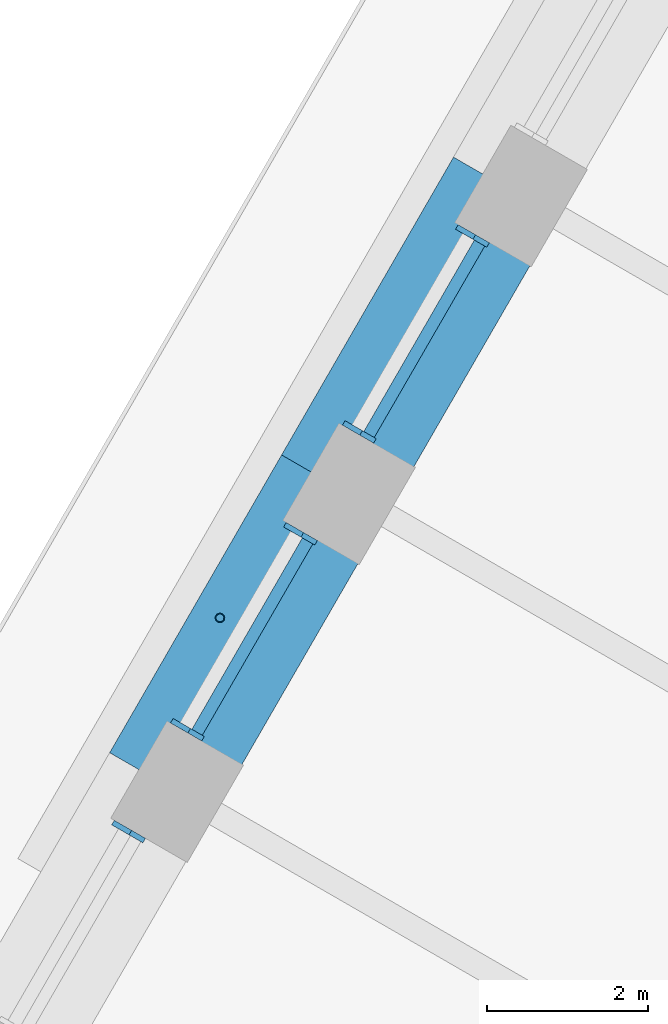
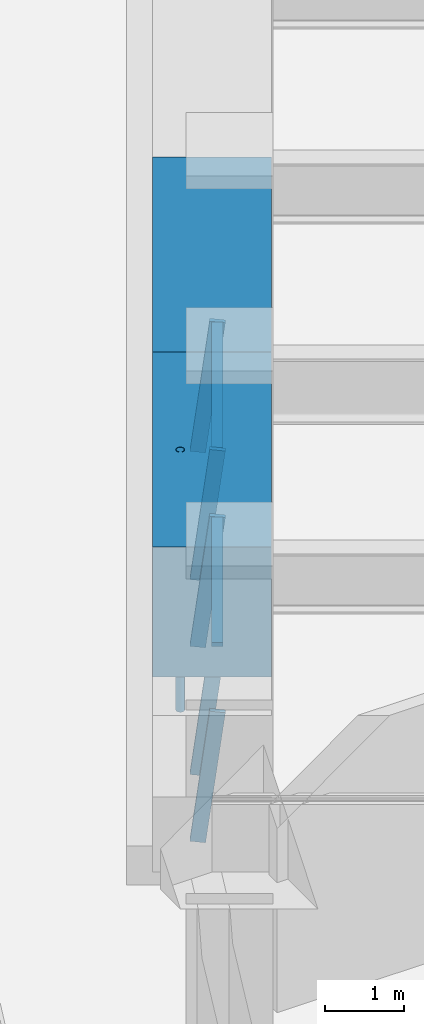
# One storey, part 6 of 18: 8 members, 2 beams, 3 elements without a shape of their own.
"""IFC4 building model written with IfcOpenShell, lengths in metres."""

import ifcopenshell
import ifcopenshell.guid

model = None  # the IFC model being written
_history = None  # IfcOwnerHistory: only IFC2X3 demands one
_inside = {}  # id of a spatial element -> (the spatial element, [elements in it])
_under = {}  # id of a project, library or spatial element -> (it, [spatial elements below it])
_declared = {}  # id of a project -> (the project, [libraries it declares])
_typed = {}  # id of a type object -> (the type object, [elements of that type])
_made_of = {}  # id of a material, layer set ... -> (it, [elements and type objects made of it])


def new_model(schema):
    """Start an empty IFC model of exactly this schema.

    Asked for "IFC4X3", IfcOpenShell would pick the latest addendum, in which some entities
    have other attributes; the version numbers below select the first issue.
    IFC2X3 requires an IfcOwnerHistory on every rooted entity: one is made here for all.
    """
    global model, _history
    if schema == "IFC4X3":
        model = ifcopenshell.file(schema_version=(4, 3, 0, 0))
    else:
        model = ifcopenshell.file(schema=schema)
    _inside.clear()
    _under.clear()
    _declared.clear()
    _typed.clear()
    _made_of.clear()
    _history = None
    if model.schema == "IFC2X3":
        org = make("IfcOrganization", Name="unknown")
        user = make(
            "IfcPersonAndOrganization",
            ThePerson=make("IfcPerson", FamilyName="unknown"),
            TheOrganization=org,
        )
        app = make(
            "IfcApplication",
            ApplicationDeveloper=org,
            Version="unknown",
            ApplicationFullName="unknown",
            ApplicationIdentifier="unknown",
        )
        _history = make(
            "IfcOwnerHistory",
            OwningUser=user,
            OwningApplication=app,
            ChangeAction="ADDED",
            CreationDate=0,
        )
    return model


def make(cls, **values):
    """One entity of the class cls with the attributes given. An attribute that is None is left unset."""
    return model.create_entity(
        cls, **{name: value for name, value in values.items() if value is not None}
    )


def rooted(cls, **values):
    """An entity with a GlobalId (a new one), such as an element, a storey or a relation."""
    return make(cls, GlobalId=ifcopenshell.guid.new(), OwnerHistory=_history, **values)


def si_unit(unit_type, name, prefix=None):
    """IfcSIUnit, for example si_unit("LENGTHUNIT", "METRE", prefix="MILLI")."""
    return make("IfcSIUnit", UnitType=unit_type, Prefix=prefix, Name=name)


def assignment(units):
    """IfcUnitAssignment: the units of a project."""
    return None if units is None else make("IfcUnitAssignment", Units=units)


def point(xyz):
    """IfcCartesianPoint."""
    return None if xyz is None else make("IfcCartesianPoint", Coordinates=xyz)


def direction(xyz):
    """IfcDirection."""
    return None if xyz is None else make("IfcDirection", DirectionRatios=xyz)


def frame(location, z_axis=None, x_axis=None):
    """IfcAxis2Placement3D, a coordinate frame: its origin and axes. An axis left out is left unset."""
    return make(
        "IfcAxis2Placement3D",
        Location=point(location),
        Axis=direction(z_axis),
        RefDirection=direction(x_axis),
    )


def frame_2d(location, x_axis=None):
    """IfcAxis2Placement2D, a coordinate frame in the plane: its origin and x axis."""
    return make(
        "IfcAxis2Placement2D", Location=point(location), RefDirection=direction(x_axis)
    )


def origin():
    """The frame at (0, 0, 0) with its axes left unset."""
    return frame((0.0, 0.0, 0.0))


def origin_2d():
    """The frame at (0, 0) in the plane with its x axis left unset."""
    return frame_2d((0.0, 0.0))


def place(relative_to, where):
    """IfcLocalPlacement: puts the frame where relative to a parent placement (None: the world)."""
    return make(
        "IfcLocalPlacement", PlacementRelTo=relative_to, RelativePlacement=where
    )


def context(
    kind, dimensions, precision=None, world=None, true_north=None, identifier=None
):
    """IfcGeometricRepresentationContext, for example the 3D "Model" context."""
    return make(
        "IfcGeometricRepresentationContext",
        ContextIdentifier=identifier,
        ContextType=kind,
        CoordinateSpaceDimension=dimensions,
        Precision=precision,
        WorldCoordinateSystem=world,
        TrueNorth=true_north,
    )


def subcontext(parent, identifier, kind, view, scale=None):
    """IfcGeometricRepresentationSubContext, for example "Body" below "Model"."""
    return make(
        "IfcGeometricRepresentationSubContext",
        ContextIdentifier=identifier,
        ContextType=kind,
        ParentContext=parent,
        TargetScale=scale,
        TargetView=view,
    )


def project(units=None, contexts=None):
    """IfcProject with its units and contexts."""
    return rooted(
        "IfcProject",
        Name="project",
        RepresentationContexts=contexts,
        UnitsInContext=assignment(units),
    )


def spatial(cls, under=None, at=None, **own):
    """A site, building, storey or space (cls), placed at a placement, below another one or the project."""
    s = rooted(cls, ObjectPlacement=at, **own)
    if under is not None:
        _under.setdefault(under.id(), (under, []))[1].append(s)
    return s


def profile(cls, at=None, kind="AREA", **sizes):
    """A parametric profile (cls). Its sizes go by their IFC names, for example OverallWidth=200.0."""
    return make(cls, ProfileType=kind, Position=at, **sizes)


def rectangle(**sizes):
    """IfcRectangleProfileDef."""
    return profile("IfcRectangleProfileDef", **sizes)


def hollow_circle(**sizes):
    """IfcCircleHollowProfileDef."""
    return profile("IfcCircleHollowProfileDef", **sizes)


def extrude(swept, where, along, depth):
    """IfcExtrudedAreaSolid: the profile swept, set in the frame where, extruded along a direction by depth."""
    return make(
        "IfcExtrudedAreaSolid",
        SweptArea=swept,
        Position=where,
        ExtrudedDirection=direction(along),
        Depth=depth,
    )


def shape(context_of_items, identifier, shape_type, items):
    """IfcShapeRepresentation: the items that make up one representation, for example the "Body"."""
    return make(
        "IfcShapeRepresentation",
        ContextOfItems=context_of_items,
        RepresentationIdentifier=identifier,
        RepresentationType=shape_type,
        Items=items,
    )


def material(Name=None, Category=None):
    """IfcMaterial."""
    return make("IfcMaterial", Name=Name, Category=Category)


def material_profile(
    of_material, cross_section, Name=None, Category=None, Priority=None
):
    """IfcMaterialProfile: a cross section and its material."""
    return make(
        "IfcMaterialProfile",
        Name=Name,
        Material=of_material,
        Profile=cross_section,
        Priority=Priority,
        Category=Category,
    )


def profile_set(profiles, Name=None, composite=None):
    """IfcMaterialProfileSet."""
    return make(
        "IfcMaterialProfileSet",
        Name=Name,
        MaterialProfiles=profiles,
        CompositeProfile=composite,
    )


def made_of(thing, what):
    """Note that an element or type object is made of a material, layer set ...; save() writes the relation."""
    if what is not None:
        _made_of.setdefault(what.id(), (what, []))[1].append(thing)
    return thing


def type_object(cls, material=None, **own):
    """A type object (cls), such as IfcWallType, which elements share."""
    return made_of(rooted(cls, **own), material)


def element(
    cls,
    number,
    at=None,
    inside=None,
    cuts=None,
    type_object=None,
    material=None,
    context=None,
    identifier="Body",
    shape_type=None,
    held_by="IfcProductDefinitionShape",
    body=None,
    shapes=None,
    **own,
):
    """One element of the class cls, such as IfcWall. Its Tag is "e" and its number.

    at: its placement. inside: the storey or other place that contains it. cuts: it is an
    opening in that element (IfcRelVoidsElement). A single representation is given by context,
    identifier, shape_type and body (its items); several are given by shapes. held_by: the class
    of the entity that holds the representations. save() writes the other relations.
    """
    e = rooted(cls, Tag="e%d" % number, ObjectPlacement=at, **own)
    if body is not None:
        shapes = [shape(context, identifier, shape_type, body)]
    if shapes is not None:
        e.Representation = make(held_by, Representations=shapes)
    if inside is not None:
        _inside.setdefault(inside.id(), (inside, []))[1].append(e)
    if cuts is not None:
        rooted(
            "IfcRelVoidsElement", RelatingBuildingElement=cuts, RelatedOpeningElement=e
        )
    if type_object is not None:
        _typed.setdefault(type_object.id(), (type_object, []))[1].append(e)
    return made_of(e, material)


def aggregate(whole, parts):
    """IfcRelAggregates: a whole, such as a stair, and the parts it consists of."""
    return rooted("IfcRelAggregates", RelatingObject=whole, RelatedObjects=parts)


def save(model, path):
    """Write the relations noted so far, then the file.

    IfcRelAggregates (storeys below a building ...), IfcRelContainedInSpatialStructure (elements
    in a storey), IfcRelDefinesByType, IfcRelAssociatesMaterial and IfcRelDeclares: one each for
    every whole, place, type object, material and project.
    """
    for whole, parts in _under.values():
        aggregate(whole, parts)
    for where, things in _inside.values():
        rooted(
            "IfcRelContainedInSpatialStructure",
            RelatedElements=things,
            RelatingStructure=where,
        )
    for kind, things in _typed.values():
        rooted("IfcRelDefinesByType", RelatedObjects=things, RelatingType=kind)
    for what, things in _made_of.values():
        rooted("IfcRelAssociatesMaterial", RelatedObjects=things, RelatingMaterial=what)
    for by, libraries in _declared.values():
        rooted("IfcRelDeclares", RelatingContext=by, RelatedDefinitions=libraries)
    model.write(path)


model = new_model("IFC4")

# Units and contexts
model_context = context("Model", 3, precision=1e-05, world=origin(), true_north=direction((0.0, 1.0)))
body_context = subcontext(model_context, "Body", "Model", "MODEL_VIEW")
ifc_project = project(units=[si_unit("LENGTHUNIT", "METRE"), si_unit("AREAUNIT", "SQUARE_METRE"), si_unit("VOLUMEUNIT", "CUBIC_METRE"), si_unit("PLANEANGLEUNIT", "RADIAN"), si_unit("MASSUNIT", "GRAM", prefix="KILO")], contexts=[model_context])

# Site, building, storey
site_placement = place(None, origin())
site = spatial("IfcSite", under=ifc_project, at=site_placement, CompositionType="ELEMENT")
building_placement = place(site_placement, origin())
building = spatial("IfcBuilding", under=site, at=building_placement, Name="Tarfa Lantern Tower", CompositionType="ELEMENT")
storey_placement = place(building_placement, frame((0.0, 0.0, 315.699951171875)))
storey = spatial("IfcBuildingStorey", under=building, at=storey_placement, Name="L71", CompositionType="ELEMENT", Elevation=315.699951171875)

# Curtain wall, members
ifc_material_1 = material(Name="Aluminium framed curtain wall", Category="aluminium")
curtain_wall_type = type_object("IfcCurtainWallType", Name="CW4 CANTED GLAZING EXECUTIVE ZONE 2000", PredefinedType="USERDEFINED", material=ifc_material_1)
curtain_wall_1_placement = place(storey_placement, origin())
curtain_wall_1 = element("IfcCurtainWall", 1, at=curtain_wall_1_placement, inside=storey, type_object=curtain_wall_type, Name="CW4 NW L71", ObjectType="CURTAIN WALL", PredefinedType="USERDEFINED")
ifc_material_2 = material(Name="Aluminium mullion", Category="aluminium")
ifc_material_profile_1 = material_profile(ifc_material_2, rectangle(XDim=0.06494140625, YDim=0.199951171875, at=origin_2d()), Name="AL MULLION 65x200")
ifc_profile_set_1 = profile_set([ifc_material_profile_1], Name="Aluminium mullion")
member_type_1 = type_object("IfcMemberType", Name="CWM1 MULLION 65x200", PredefinedType="MULLION", material=ifc_profile_set_1)
member_1_placement = place(storey_placement, frame((-23.44580078125, 12.690673828125, 0.0), z_axis=(0.107439978116, -0.062017213975, 0.992275423596), x_axis=(0.499919672301, 0.866071776036, 0.0)))
member_1 = element("IfcMember", 2, at=member_1_placement, type_object=member_type_1, Name="CW4 mullion 1", PredefinedType="MULLION", context=body_context, shape_type="SweptSolid", body=[
    extrude(rectangle(XDim=0.06494140625, YDim=0.199951171875, at=origin_2d()), origin(), (0.0, 0.0, 1.0), 2.015625),
])
member_2_placement = place(storey_placement, frame((-24.854248046875, 10.2509765625, 0.0), z_axis=(0.107320246625, -0.062018020623, 0.992288329964), x_axis=(0.500342721131, 0.865827443207, 0.0)))
member_2 = element("IfcMember", 3, at=member_2_placement, type_object=member_type_1, Name="CW4 mullion 2", PredefinedType="MULLION", context=body_context, shape_type="SweptSolid", body=[
    extrude(rectangle(XDim=0.06494140625, YDim=0.199951171875, at=origin_2d()), origin(), (0.0, 0.0, 1.0), 2.015625),
])

curtain_wall_2_placement = place(storey_placement, origin())
curtain_wall_2 = element("IfcCurtainWall", 4, at=curtain_wall_2_placement, inside=storey, type_object=curtain_wall_type, Name="CW4 NW L71", ObjectType="CURTAIN WALL", PredefinedType="USERDEFINED")
member_3_placement = place(storey_placement, frame((-25.5869140625, 8.982421875, 0.0), z_axis=(0.107439978116, -0.062017213975, 0.992275423596), x_axis=(0.499919672301, 0.866071776036, 0.0)))
member_3 = element("IfcMember", 5, at=member_3_placement, type_object=member_type_1, Name="CW4 mullion 1", PredefinedType="MULLION", context=body_context, shape_type="SweptSolid", body=[
    extrude(rectangle(XDim=0.06494140625, YDim=0.199951171875, at=origin_2d()), origin(), (0.0, 0.0, 1.0), 2.015625),
])
member_4_placement = place(storey_placement, frame((-26.995361328125, 6.542724609375, 0.0), z_axis=(0.107439978116, -0.062017213975, 0.992275423596), x_axis=(0.499919672301, 0.866071776036, 0.0)))
member_4 = element("IfcMember", 6, at=member_4_placement, type_object=member_type_1, Name="CW4 mullion 2", PredefinedType="MULLION", context=body_context, shape_type="SweptSolid", body=[
    extrude(rectangle(XDim=0.06494140625, YDim=0.199951171875, at=origin_2d()), origin(), (0.0, 0.0, 1.0), 2.015625),
])

# Curtain wall, member
curtain_wall_3_placement = place(storey_placement, origin())
curtain_wall_3 = element("IfcCurtainWall", 7, at=curtain_wall_3_placement, inside=storey, type_object=curtain_wall_type, Name="CW4 NW L71", ObjectType="CURTAIN WALL", PredefinedType="USERDEFINED")
member_5_placement = place(storey_placement, frame((-27.727783203125, 5.27392578125, 0.0), z_axis=(0.107439978116, -0.062017213975, 0.992275423596), x_axis=(0.499919672301, 0.866071776036, 0.0)))
member_5 = element("IfcMember", 8, at=member_5_placement, type_object=member_type_1, Name="CW4 mullion 1", PredefinedType="MULLION", context=body_context, shape_type="SweptSolid", body=[
    extrude(rectangle(XDim=0.06494140625, YDim=0.199951171875, at=origin_2d()), origin(), (0.0, 0.0, 1.0), 2.015625),
])
aggregate(curtain_wall_3, [member_5])

# Member
ifc_material_3 = material(Name="Aluminium transom", Category="aluminium")
ifc_material_profile_2 = material_profile(ifc_material_3, rectangle(XDim=0.14990234375, YDim=0.06494140625, at=origin_2d()), Name="AL TRANSOM 150x65")
ifc_profile_set_2 = profile_set([ifc_material_profile_2], Name="Aluminium transom")
member_type_2 = type_object("IfcMemberType", Name="CWT1 TRANSOM 150x65", PredefinedType="USERDEFINED", material=ifc_profile_set_2)
member_6_placement = place(storey_placement, frame((-23.2490234375, 12.53955078125, 1.967529296875), z_axis=(-0.499993790352, -0.866028988896, 0.0), x_axis=(0.866028988896, -0.499993790352, 0.0)))
member_6 = element("IfcMember", 9, at=member_6_placement, type_object=member_type_2, Name="CW4 transom 1.2", ObjectType="TRANSOM", PredefinedType="USERDEFINED", context=body_context, shape_type="SweptSolid", body=[
    extrude(rectangle(XDim=0.14990234375, YDim=0.06494140625, at=origin_2d()), origin(), (0.0, 0.0, 1.0), 2.751953125),
])

aggregate(curtain_wall_1, [member_1, member_2, member_6])

member_7_placement = place(storey_placement, frame((-25.39013671875, 8.831298828125, 1.967529296875), z_axis=(-0.499955378711, -0.866051164365, 0.0), x_axis=(0.866051164365, -0.499955378711, 0.0)))
member_7 = element("IfcMember", 10, at=member_7_placement, type_object=member_type_2, Name="CW4 transom 1.2", ObjectType="TRANSOM", PredefinedType="USERDEFINED", context=body_context, shape_type="SweptSolid", body=[
    extrude(rectangle(XDim=0.14990234375, YDim=0.06494140625, at=origin_2d()), origin(), (0.0, 0.0, 1.0), 2.752197265625),
])

aggregate(curtain_wall_2, [member_3, member_4, member_7])

# Beams
ifc_material_4 = material(Name="Concrete C80/95", Category="concrete")
ifc_material_profile_3 = material_profile(ifc_material_4, rectangle(XDim=1.5, YDim=2.0, at=origin_2d()), Name="RC 1500x2000")
ifc_profile_set_3 = profile_set([ifc_material_profile_3], Name="Concrete C80/95")
beam_type = type_object("IfcBeamType", Name="RB3 RC 1500x2000", PredefinedType="BEAM", material=ifc_profile_set_3)
beam_1_placement = place(storey_placement, frame((-22.923583984375, 13.235107421875, 3.0), z_axis=(-0.500002112793, -0.866024183959, 0.0), x_axis=(0.866024183959, -0.500002112793, 0.0)))
element("IfcBeam", 11, at=beam_1_placement, inside=storey, type_object=beam_type, Name="Edge beam NW3", PredefinedType="BEAM", context=body_context, shape_type="SweptSolid", body=[
    extrude(rectangle(XDim=1.5, YDim=2.0, at=origin_2d()), origin(), (0.0, 0.0, 1.0), 4.2822265625),
])
beam_2_placement = place(storey_placement, frame((-25.064697265625, 9.526611328125, 3.0), z_axis=(-0.500026801138, -0.866009929587, 0.0), x_axis=(0.866009929587, -0.500026801138, 0.0)))
element("IfcBeam", 12, at=beam_2_placement, inside=storey, type_object=beam_type, Name="Edge beam NW4", PredefinedType="BEAM", context=body_context, shape_type="SweptSolid", body=[
    extrude(rectangle(XDim=1.5, YDim=2.0, at=origin_2d()), origin(), (0.0, 0.0, 1.0), 4.281982421875),
])

# Member
ifc_material_5 = material(Name="Steel S355", Category="steel")
ifc_material_profile_4 = material_profile(ifc_material_5, hollow_circle(Radius=0.05712890625, WallThickness=0.00634765625, at=origin_2d()), Name="CHS114.3x6.3")
ifc_profile_set_4 = profile_set([ifc_material_profile_4], Name="Steel S355")
member_type_3 = type_object("IfcMemberType", Name="TR1 GREEN WALL TRELLIS CHS114.3x6.3", PredefinedType="USERDEFINED", material=ifc_profile_set_4)
member_8_placement = place(storey_placement, frame((-26.481689453125, 7.87255859375, 0.0), z_axis=(0.0, 0.0, 1.0), x_axis=(1.0, 0.0, 0.0)))
element("IfcMember", 13, at=member_8_placement, inside=storey, type_object=member_type_3, Name="Trellis post NW 2", ObjectType="TRELLIS", PredefinedType="USERDEFINED", context=body_context, shape_type="SweptSolid", body=[
    extrude(hollow_circle(Radius=0.05712890625, WallThickness=0.00634765625, at=origin_2d()), origin(), (0.0, 0.0, 1.0), 4.0),
])

save(model, "model.ifc")
